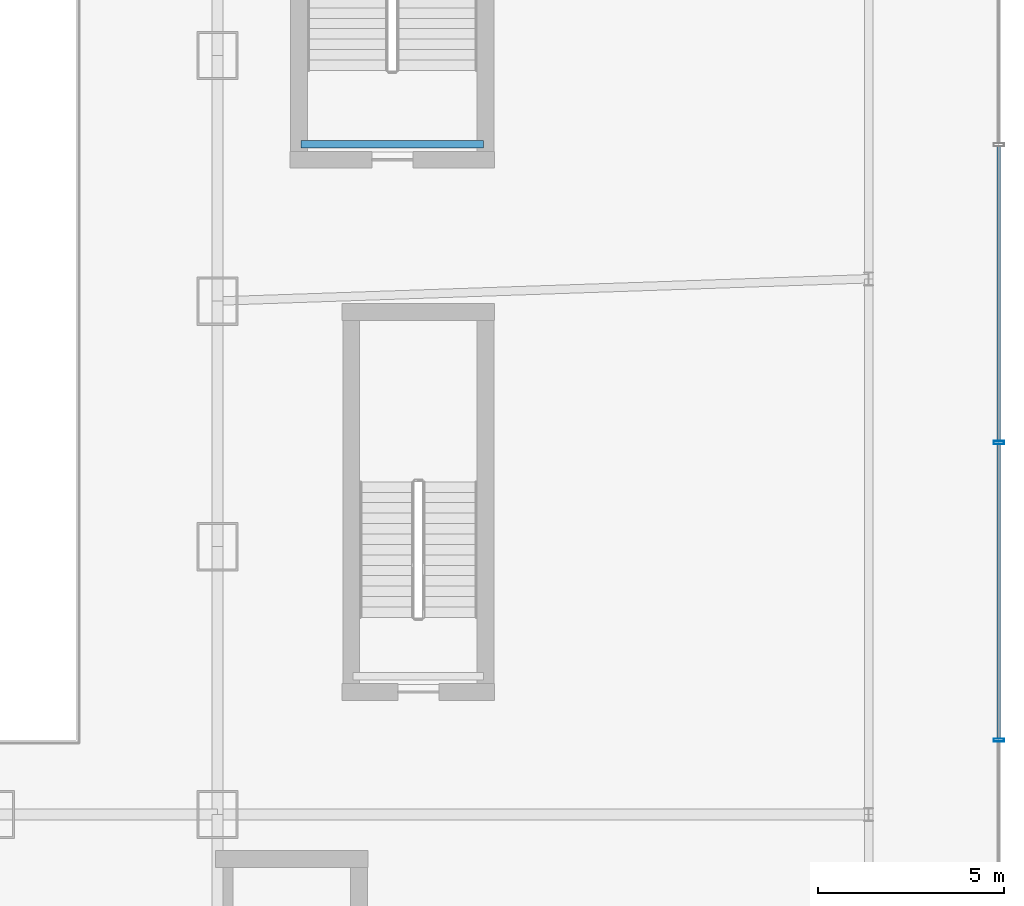
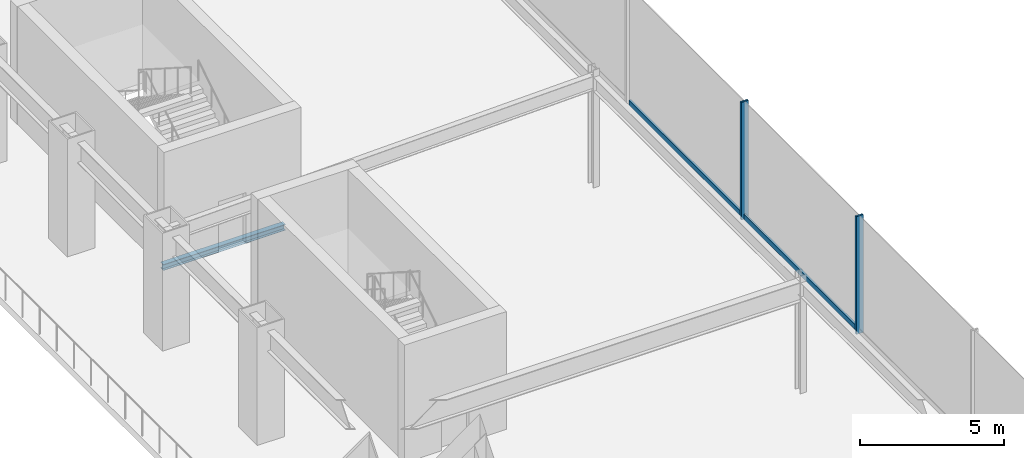
# One storey, part 23 of 39: 4 members, 1 beam, 1 element without a shape of its own.
"""IFC4 building model written with IfcOpenShell, lengths in metres."""

from ifc_helpers import new_model, si_unit, derived_unit, direction, frame, origin, origin_2d, place, context, subcontext, project, spatial, hollow_rectangle, i_section, extrude, source, transform, mapped, material, material_profile, profile_set, type_object, element, aggregate, save


model = new_model("IFC4")

# Units and contexts
model_context = context("Model", 3, precision=1e-05, world=origin(), true_north=direction((0.0, 1.0)))
body_context = subcontext(model_context, "Body", "Model", "MODEL_VIEW")
ifc_project = project(units=[si_unit("LENGTHUNIT", "METRE"), si_unit("AREAUNIT", "SQUARE_METRE"), si_unit("VOLUMEUNIT", "CUBIC_METRE"), si_unit("PLANEANGLEUNIT", "RADIAN"), si_unit("MASSUNIT", "GRAM", prefix="KILO"), derived_unit("THERMALTRANSMITTANCEUNIT", [(si_unit("POWERUNIT", "WATT"), 1), (si_unit("LENGTHUNIT", "METRE"), -2), (si_unit("THERMODYNAMICTEMPERATUREUNIT", "KELVIN"), -1)])], contexts=[model_context])

# Site, building, storey
site_placement = place(None, origin())
site = spatial("IfcSite", under=ifc_project, at=site_placement, CompositionType="ELEMENT")
building_placement = place(site_placement, origin())
building = spatial("IfcBuilding", under=site, at=building_placement, Name="Skarnbrae Concourse Arena and Tower", CompositionType="ELEMENT")
storey_placement = place(building_placement, frame((0.0, 0.0, 16.0)))
storey = spatial("IfcBuildingStorey", under=building, at=storey_placement, Name="L03", CompositionType="ELEMENT", Elevation=16.0)

# Curtain wall, members
ifc_material_1 = material(Name="Bronze anodised aluminium 6063-T6", Category="aluminium")
curtain_wall_type = type_object("IfcCurtainWallType", Name="CW-SYS-01-PODIUM", PredefinedType="USERDEFINED", material=ifc_material_1)
curtain_wall_placement = place(storey_placement, origin())
curtain_wall = element("IfcCurtainWall", 1, at=curtain_wall_placement, inside=storey, type_object=curtain_wall_type, Name="L03 Unitised curtain wall CW-L03-E", ObjectType="UNITISED CURTAIN WALL", PredefinedType="USERDEFINED")
ifc_material_profile_1 = material_profile(ifc_material_1, hollow_rectangle(XDim=0.0849609375, YDim=0.280029296875, WallThickness=0.006103515625, at=origin_2d()), Name="ALU-MULL-85X280")
ifc_profile_set_1 = profile_set([ifc_material_profile_1], Name="Bronze anodised aluminium 6063-T6")
member_type_1 = type_object("IfcMemberType", Name="CWM-CW-01", PredefinedType="MULLION", material=ifc_profile_set_1)
shared_shape_1 = source(origin(), body_context, "Body", "SweptSolid", [
    extrude(hollow_rectangle(XDim=0.0849609375, YDim=0.280029296875, WallThickness=0.006103515625, at=origin_2d()), origin(), (0.0, 0.0, 1.0), 5.0),
])
member_1_placement = place(storey_placement, frame((82.0, 16.0, 0.0), z_axis=(0.0, 0.0, 1.0), x_axis=(0.0, 1.0, 0.0)))
member_1 = element("IfcMember", 2, at=member_1_placement, type_object=member_type_1, Name="CW-L03-E Mullion 3", PredefinedType="MULLION", context=body_context, shape_type="MappedRepresentation", body=[
    mapped(shared_shape_1, transform((0.0, 0.0, 0.0))),
])
member_2_placement = place(storey_placement, frame((82.0, 24.0, 0.0), z_axis=(0.0, 0.0, 1.0), x_axis=(0.0, 1.0, 0.0)))
member_2 = element("IfcMember", 3, at=member_2_placement, type_object=member_type_1, Name="CW-L03-E Mullion 4", PredefinedType="MULLION", context=body_context, shape_type="MappedRepresentation", body=[
    mapped(shared_shape_1, transform((0.0, 0.0, 0.0))),
])
ifc_material_profile_2 = material_profile(ifc_material_1, hollow_rectangle(XDim=0.0849609375, YDim=0.219970703125, WallThickness=0.006103515625, at=origin_2d()), Name="ALU-TRAN-85X220")
ifc_profile_set_2 = profile_set([ifc_material_profile_2], Name="Bronze anodised aluminium 6063-T6")
member_type_2 = type_object("IfcMemberType", Name="CWT-CW-01", PredefinedType="USERDEFINED", material=ifc_profile_set_2)
shared_shape_2 = source(origin(), body_context, "Body", "SweptSolid", [
    extrude(hollow_rectangle(XDim=0.0849609375, YDim=0.219970703125, WallThickness=0.006103515625, at=origin_2d()), origin(), (0.0, 0.0, 1.0), 7.9150390625),
])
member_3_placement = place(storey_placement, frame((82.0, 16.04248046875, 0.110107421875), z_axis=(0.0, 1.0, 0.0), x_axis=(-1.0, 0.0, 0.0)))
member_3 = element("IfcMember", 4, at=member_3_placement, type_object=member_type_2, Name="CW-L03-E Transom 3", ObjectType="TRANSOM", PredefinedType="USERDEFINED", context=body_context, shape_type="MappedRepresentation", body=[
    mapped(shared_shape_2, transform((0.0, 0.0, 0.0))),
])
member_4_placement = place(storey_placement, frame((82.0, 24.04248046875, 0.110107421875), z_axis=(0.0, 1.0, 0.0), x_axis=(-1.0, 0.0, 0.0)))
member_4 = element("IfcMember", 5, at=member_4_placement, type_object=member_type_2, Name="CW-L03-E Transom 4", ObjectType="TRANSOM", PredefinedType="USERDEFINED", context=body_context, shape_type="MappedRepresentation", body=[
    mapped(shared_shape_2, transform((0.0, 0.0, 0.0))),
])
aggregate(curtain_wall, [member_1, member_2, member_3, member_4])

# Beam
ifc_material_2 = material(Name="Steel CSA G40.21 350W", Category="steel")
ifc_material_profile_3 = material_profile(ifc_material_2, i_section(OverallWidth=0.202880859375, OverallDepth=0.251953125, WebThickness=0.008056640625, FlangeThickness=0.013427734375, at=origin_2d()), Name="W250X58")
ifc_profile_set_3 = profile_set([ifc_material_profile_3], Name="Steel CSA G40.21 350W")
beam_type = type_object("IfcBeamType", Name="BM-LINTEL-W250X58", PredefinedType="LINTEL", material=ifc_profile_set_3)
shared_shape_3 = source(origin(), body_context, "Body", "SweptSolid", [
    extrude(i_section(OverallWidth=0.202880859375, OverallDepth=0.251953125, WebThickness=0.008056640625, FlangeThickness=0.013427734375, at=origin_2d()), origin(), (0.0, 0.0, 1.0), 4.89990234375),
])
beam_placement = place(storey_placement, frame((68.14990234375, 32.02001953125, -0.325927734375), z_axis=(-1.0, 0.0, 0.0), x_axis=(0.0, -1.0, 0.0)))
element("IfcBeam", 6, at=beam_placement, inside=storey, type_object=beam_type, Name="L03 Stair ST-A4 near landing soffit beam", PredefinedType="LINTEL", context=body_context, shape_type="MappedRepresentation", body=[
    mapped(shared_shape_3, transform((0.0, 0.0, 0.0))),
])

save(model, "model.ifc")
